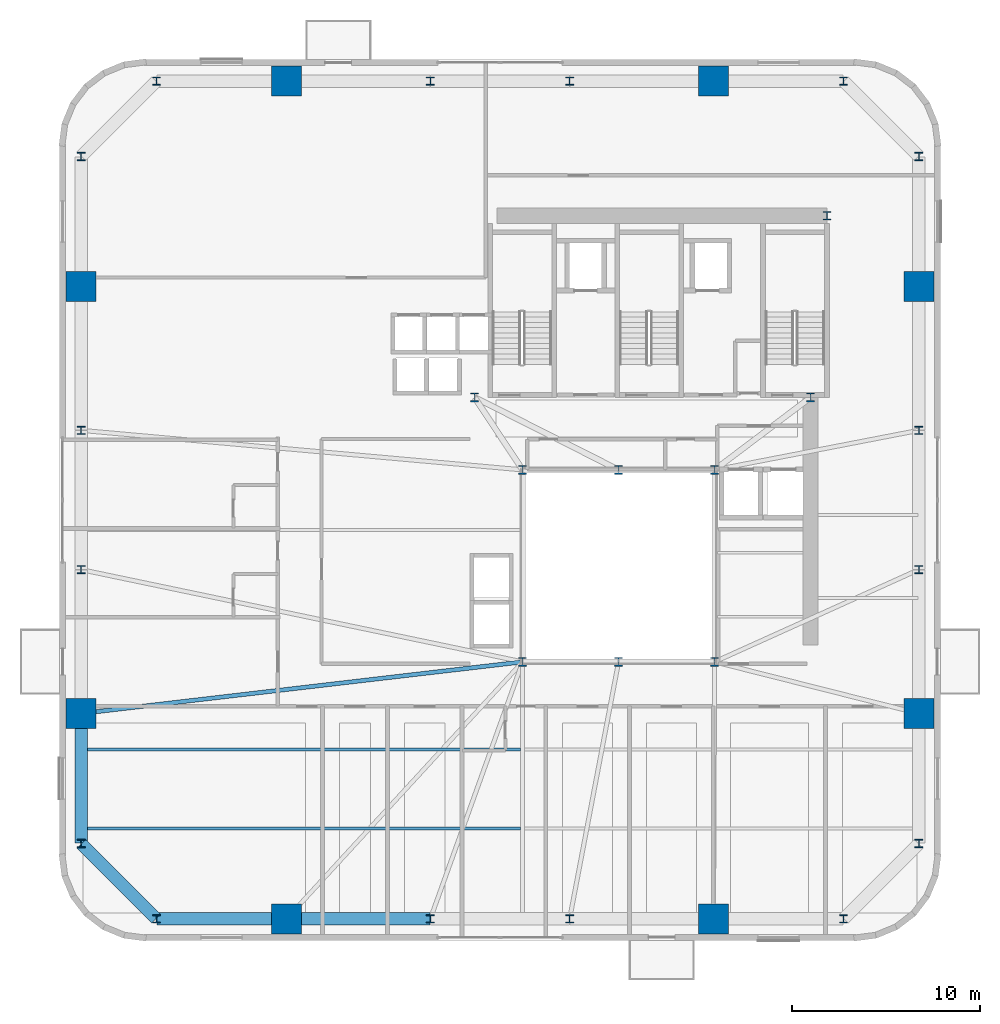
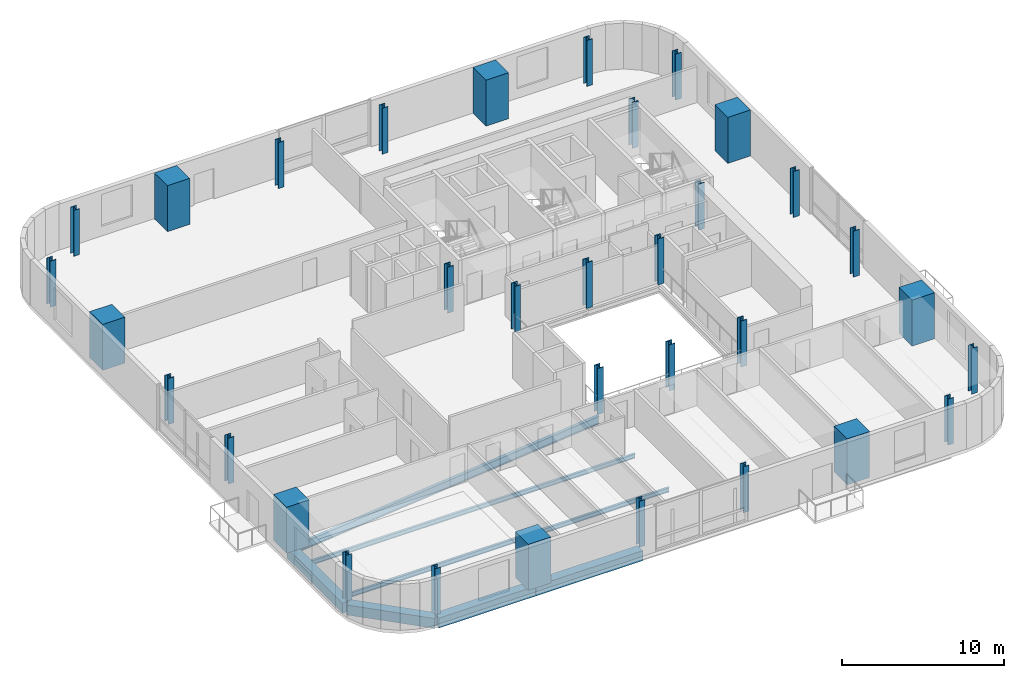
# One storey, part 1 of 14: 33 columns, 7 beams.
"""IFC4 building model written with IfcOpenShell, lengths in metres."""

from ifc_helpers import new_model, si_unit, direction, frame, origin, origin_2d, place, context, subcontext, project, spatial, rectangle, i_section, extrude, source, transform, mapped, material, material_profile, profile_set, type_object, element, save


model = new_model("IFC4")

# Units and contexts
model_context = context("Model", 3, precision=1e-05, world=origin(), true_north=direction((0.0, 1.0)))
body_context = subcontext(model_context, "Body", "Model", "MODEL_VIEW")
ifc_project = project(units=[si_unit("LENGTHUNIT", "METRE"), si_unit("AREAUNIT", "SQUARE_METRE"), si_unit("VOLUMEUNIT", "CUBIC_METRE"), si_unit("PLANEANGLEUNIT", "RADIAN"), si_unit("MASSUNIT", "GRAM", prefix="KILO")], contexts=[model_context])

# Site, building, storey
site_placement = place(None, origin())
site = spatial("IfcSite", under=ifc_project, at=site_placement, CompositionType="ELEMENT")
building_placement = place(site_placement, origin())
building = spatial("IfcBuilding", under=site, at=building_placement, Name="Vardaveli Station Tower", CompositionType="ELEMENT")
storey_placement = place(building_placement, frame((0.0, 0.0, 129.800048828125)))
storey = spatial("IfcBuildingStorey", under=building, at=storey_placement, Name="L33", CompositionType="ELEMENT", Elevation=129.800048828125)

# Columns
ifc_material_1 = material(Name="Structural steel S460M", Category="steel")
ifc_material_profile_1 = material_profile(ifc_material_1, i_section(OverallWidth=0.424072265625, OverallDepth=0.465087890625, WebThickness=0.034912109375, FlangeThickness=0.055908203125, FilletRadius=0.014892578125, at=origin_2d()), Name="HD 400x592")
ifc_profile_set_1 = profile_set([ifc_material_profile_1], Name="Structural steel S460M")
column_type_1 = type_object("IfcColumnType", Name="COL-HD592", PredefinedType="COLUMN", material=ifc_profile_set_1)
shared_shape_1 = source(origin(), body_context, "Body", "SweptSolid", [
    extrude(i_section(OverallWidth=0.424072265625, OverallDepth=0.465087890625, WebThickness=0.034912109375, FlangeThickness=0.055908203125, FilletRadius=0.014892578125, at=origin_2d()), origin(), (0.0, 0.0, 1.0), 3.4599609375),
])
for number, where, z_axis, x_axis, name in (
    (1, (31.199951171875, 16.60009765625, 0.0), (0.0, 0.0, 1.0), (1.0, 0.0, 0.0), "COL-L33-AC1"),
    (2, (36.300048828125, 16.60009765625, 0.0), (0.0, 0.0, 1.0), (1.0, 0.0, 0.0), "COL-L33-AC2"),
    (3, (41.39990234375, 16.60009765625, 0.0), (0.0, 0.0, 1.0), (1.0, 0.0, 0.0), "COL-L33-AC3"),
    (4, (41.39990234375, 26.800048828125, 0.0), (0.0, 0.0, 1.0), (1.0, 0.0, 0.0), "COL-L33-AC4"),
    (5, (36.300048828125, 26.800048828125, 0.0), (0.0, 0.0, 1.0), (1.0, 0.0, 0.0), "COL-L33-AC5"),
    (6, (31.199951171875, 26.800048828125, 0.0), (0.0, 0.0, 1.0), (1.0, 0.0, 0.0), "COL-L33-AC6"),
    (7, (28.64990234375, 30.64990234375, 0.0), (0.0, 0.0, 1.0), (1.0, 0.0, 0.0), "COL-L33-CC1"),
    (8, (46.5, 30.64990234375, 0.0), (0.0, 0.0, 1.0), (1.0, 0.0, 0.0), "COL-L33-CC2"),
    (9, (47.3701171875, 40.300048828125, 0.0), (0.0, 0.0, 1.0), (1.0, 0.0, 0.0), "COL-L33-CC3"),
):
    element("IfcColumn", number, at=place(storey_placement, frame(where, z_axis=z_axis, x_axis=x_axis)), inside=storey, type_object=column_type_1, Name=name, PredefinedType="COLUMN", context=body_context, shape_type="MappedRepresentation", body=[
        mapped(shared_shape_1, transform((0.0, 0.0, 0.0), scale=1.0)),
    ])
ifc_material_2 = material(Name="Concrete C60/75", Category="concrete")
ifc_material_profile_2 = material_profile(ifc_material_2, rectangle(XDim=1.60009765625, YDim=1.60009765625, at=origin_2d()), Name="MC 1600x1600")
ifc_profile_set_2 = profile_set([ifc_material_profile_2], Name="Concrete C60/75")
column_type_2 = type_object("IfcColumnType", Name="COL-MC-1600", PredefinedType="COLUMN", material=ifc_profile_set_2)
shared_shape_2 = source(origin(), body_context, "Body", "SweptSolid", [
    extrude(rectangle(XDim=1.60009765625, YDim=1.60009765625, at=origin_2d()), origin(), (0.0, 0.0, 1.0), 3.4599609375),
])
for number, where, z_axis, x_axis, name in (
    (10, (18.659912109375, 2.949951171875, 0.0), (0.0, 0.0, 1.0), (1.0, 0.0, 0.0), "COL-L33-MC1"),
    (11, (41.340087890625, 2.949951171875, 0.0), (0.0, 0.0, 1.0), (1.0, 0.0, 0.0), "COL-L33-MC2"),
    (12, (52.25, 13.860107421875, 0.0), (0.0, 0.0, 1.0), (1.0, 0.0, 0.0), "COL-L33-MC3"),
    (13, (52.25, 36.5400390625, 0.0), (0.0, 0.0, 1.0), (1.0, 0.0, 0.0), "COL-L33-MC4"),
    (14, (41.340087890625, 47.449951171875, 0.0), (0.0, 0.0, 1.0), (1.0, 0.0, 0.0), "COL-L33-MC5"),
    (15, (18.659912109375, 47.449951171875, 0.0), (0.0, 0.0, 1.0), (1.0, 0.0, 0.0), "COL-L33-MC6"),
    (16, (7.75, 36.5400390625, 0.0), (0.0, 0.0, 1.0), (1.0, 0.0, 0.0), "COL-L33-MC7"),
    (17, (7.75, 13.860107421875, 0.0), (0.0, 0.0, 1.0), (1.0, 0.0, 0.0), "COL-L33-MC8"),
):
    element("IfcColumn", number, at=place(storey_placement, frame(where, z_axis=z_axis, x_axis=x_axis)), inside=storey, type_object=column_type_2, Name=name, PredefinedType="COLUMN", context=body_context, shape_type="MappedRepresentation", body=[
        mapped(shared_shape_2, transform((0.0, 0.0, 0.0), scale=1.0)),
    ])
ifc_material_profile_3 = material_profile(ifc_material_1, i_section(OverallWidth=0.4140625, OverallDepth=0.431884765625, WebThickness=0.025634765625, FlangeThickness=0.0400390625, FilletRadius=0.014892578125, at=origin_2d()), Name="HD 400x421")
ifc_profile_set_3 = profile_set([ifc_material_profile_3], Name="Structural steel S460M")
column_type_3 = type_object("IfcColumnType", Name="COL-HD421", PredefinedType="COLUMN", material=ifc_profile_set_3)
shared_shape_3 = source(origin(), body_context, "Body", "SweptSolid", [
    extrude(i_section(OverallWidth=0.4140625, OverallDepth=0.431884765625, WebThickness=0.025634765625, FlangeThickness=0.0400390625, FilletRadius=0.014892578125, at=origin_2d()), origin(), (0.0, 0.0, 1.0), 3.4599609375),
])
for number, where, z_axis, x_axis, name in (
    (18, (11.75, 2.949951171875, 0.0), (0.0, 0.0, 1.0), (1.0, 0.0, 0.0), "COL-L33-PC01"),
    (19, (26.300048828125, 2.949951171875, 0.0), (0.0, 0.0, 1.0), (1.0, 0.0, 0.0), "COL-L33-PC02"),
    (20, (33.699951171875, 2.949951171875, 0.0), (0.0, 0.0, 1.0), (1.0, 0.0, 0.0), "COL-L33-PC03"),
    (21, (48.25, 2.949951171875, 0.0), (0.0, 0.0, 1.0), (1.0, 0.0, 0.0), "COL-L33-PC04"),
    (22, (52.25, 6.949951171875, 0.0), (0.0, 0.0, 1.0), (1.0, 0.0, 0.0), "COL-L33-PC05"),
    (23, (52.25, 21.5, 0.0), (0.0, 0.0, 1.0), (1.0, 0.0, 0.0), "COL-L33-PC06"),
    (24, (52.25, 28.89990234375, 0.0), (0.0, 0.0, 1.0), (1.0, 0.0, 0.0), "COL-L33-PC07"),
    (25, (52.25, 43.449951171875, 0.0), (0.0, 0.0, 1.0), (1.0, 0.0, 0.0), "COL-L33-PC08"),
    (26, (48.25, 47.449951171875, 0.0), (0.0, 0.0, 1.0), (1.0, 0.0, 0.0), "COL-L33-PC09"),
    (27, (33.699951171875, 47.449951171875, 0.0), (0.0, 0.0, 1.0), (1.0, 0.0, 0.0), "COL-L33-PC10"),
    (28, (26.300048828125, 47.449951171875, 0.0), (0.0, 0.0, 1.0), (1.0, 0.0, 0.0), "COL-L33-PC11"),
    (29, (11.75, 47.449951171875, 0.0), (0.0, 0.0, 1.0), (1.0, 0.0, 0.0), "COL-L33-PC12"),
    (30, (7.75, 43.449951171875, 0.0), (0.0, 0.0, 1.0), (1.0, 0.0, 0.0), "COL-L33-PC13"),
    (31, (7.75, 28.89990234375, 0.0), (0.0, 0.0, 1.0), (1.0, 0.0, 0.0), "COL-L33-PC14"),
    (32, (7.75, 21.5, 0.0), (0.0, 0.0, 1.0), (1.0, 0.0, 0.0), "COL-L33-PC15"),
    (33, (7.75, 6.949951171875, 0.0), (0.0, 0.0, 1.0), (1.0, 0.0, 0.0), "COL-L33-PC16"),
):
    element("IfcColumn", number, at=place(storey_placement, frame(where, z_axis=z_axis, x_axis=x_axis)), inside=storey, type_object=column_type_3, Name=name, PredefinedType="COLUMN", context=body_context, shape_type="MappedRepresentation", body=[
        mapped(shared_shape_3, transform((0.0, 0.0, 0.0), scale=1.0)),
    ])

# Beams
ifc_material_3 = material(Name="Precast concrete C45/55", Category="concrete")
ifc_material_profile_4 = material_profile(ifc_material_3, rectangle(XDim=0.64990234375, YDim=0.75, at=origin_2d()), Name="LPB 650x750")
ifc_profile_set_4 = profile_set([ifc_material_profile_4], Name="Precast concrete C45/55")
beam_type_1 = type_object("IfcBeamType", Name="BM-LPB-750", PredefinedType="BEAM", material=ifc_profile_set_4)
shared_shape_4 = source(origin(), body_context, "Body", "SweptSolid", [
    extrude(rectangle(XDim=0.64990234375, YDim=0.75, at=origin_2d()), origin(), (0.0, 0.0, 1.0), 7.60009765625),
])
beam_1_placement = place(storey_placement, frame((18.679931640625, 2.949951171875, -0.614990234375), z_axis=(1.0, 0.0, 0.0), x_axis=(0.0, 1.0, 0.0)))
element("IfcBeam", 34, at=beam_1_placement, inside=storey, type_object=beam_type_1, Name="RBM-L33-01", PredefinedType="BEAM", context=body_context, shape_type="MappedRepresentation", body=[
    mapped(shared_shape_4, transform((0.0, 0.0, 0.0), scale=1.0)),
])
shared_shape_5 = source(origin(), body_context, "Body", "SweptSolid", [
    extrude(rectangle(XDim=0.64990234375, YDim=0.75, at=origin_2d()), origin(), (0.0, 0.0, 1.0), 6.869873046875),
])
beam_2_placement = place(storey_placement, frame((11.77001953125, 2.949951171875, -0.614990234375), z_axis=(1.0, 0.0, 0.0), x_axis=(0.0, 1.0, 0.0)))
element("IfcBeam", 35, at=beam_2_placement, inside=storey, type_object=beam_type_1, Name="RBM-L33-24", PredefinedType="BEAM", context=body_context, shape_type="MappedRepresentation", body=[
    mapped(shared_shape_5, transform((0.0, 0.0, 0.0), scale=1.0)),
])
shared_shape_6 = source(origin(), body_context, "Body", "SweptSolid", [
    extrude(rectangle(XDim=0.64990234375, YDim=0.75, at=origin_2d()), origin(), (0.0, 0.0, 1.0), 5.61669921875),
])
beam_3_placement = place(storey_placement, frame((7.76416015625, 6.935791015625, -0.614990234375), z_axis=(0.707106781187, -0.707106781187, 0.0), x_axis=(0.707106781187, 0.707106781187, 0.0)))
element("IfcBeam", 36, at=beam_3_placement, inside=storey, type_object=beam_type_1, Name="RBM-L33-23", PredefinedType="BEAM", context=body_context, shape_type="MappedRepresentation", body=[
    mapped(shared_shape_6, transform((0.0, 0.0, 0.0), scale=1.0)),
])
shared_shape_7 = source(origin(), body_context, "Body", "SweptSolid", [
    extrude(rectangle(XDim=0.64990234375, YDim=0.75, at=origin_2d()), origin(), (0.0, 0.0, 1.0), 6.8701171875),
])
beam_4_placement = place(storey_placement, frame((7.75, 13.840087890625, -0.614990234375), z_axis=(0.0, -1.0, 0.0), x_axis=(1.0, 0.0, 0.0)))
element("IfcBeam", 37, at=beam_4_placement, inside=storey, type_object=beam_type_1, Name="RBM-L33-22", PredefinedType="BEAM", context=body_context, shape_type="MappedRepresentation", body=[
    mapped(shared_shape_7, transform((0.0, 0.0, 0.0), scale=1.0)),
])
ifc_material_4 = material(Name="Structural steel S355J2", Category="steel")
ifc_material_profile_5 = material_profile(ifc_material_4, i_section(OverallWidth=0.159912109375, OverallDepth=0.330078125, WebThickness=0.007568359375, FlangeThickness=0.011474609375, FilletRadius=0.01806640625, at=origin_2d()), Name="IPE 330")
ifc_profile_set_5 = profile_set([ifc_material_profile_5], Name="Structural steel S355J2")
beam_type_2 = type_object("IfcBeamType", Name="BM-IPE330", PredefinedType="JOIST", material=ifc_profile_set_5)
shared_shape_8 = source(origin(), body_context, "Body", "SweptSolid", [
    extrude(i_section(OverallWidth=0.159912109375, OverallDepth=0.330078125, WebThickness=0.007568359375, FlangeThickness=0.011474609375, FilletRadius=0.01806640625, at=origin_2d()), origin(), (0.0, 0.0, 1.0), 23.2978515625),
])
for number, where, z_axis, x_axis, name in (
    (38, (7.7900390625, 7.75, -0.405029296875), (1.0, 0.0, 0.0), (0.0, 1.0, 0.0), "SJ-L33-S01"),
    (39, (7.7900390625, 11.949951171875, -0.405029296875), (1.0, 0.0, 0.0), (0.0, 1.0, 0.0), "SJ-L33-S03"),
):
    element("IfcBeam", number, at=place(storey_placement, frame(where, z_axis=z_axis, x_axis=x_axis)), inside=storey, type_object=beam_type_2, Name=name, PredefinedType="JOIST", context=body_context, shape_type="MappedRepresentation", body=[
        mapped(shared_shape_8, transform((0.0, 0.0, 0.0), scale=1.0)),
    ])
ifc_material_profile_6 = material_profile(ifc_material_4, i_section(OverallWidth=0.219970703125, OverallDepth=0.60009765625, WebThickness=0.011962890625, FlangeThickness=0.01904296875, FilletRadius=0.02392578125, at=origin_2d()), Name="IPE 600")
ifc_profile_set_6 = profile_set([ifc_material_profile_6], Name="Structural steel S355J2")
beam_type_3 = type_object("IfcBeamType", Name="BM-IPE600", PredefinedType="BEAM", material=ifc_profile_set_6)
shared_shape_9 = source(origin(), body_context, "Body", "SweptSolid", [
    extrude(i_section(OverallWidth=0.219970703125, OverallDepth=0.60009765625, WebThickness=0.011962890625, FlangeThickness=0.01904296875, FilletRadius=0.02392578125, at=origin_2d()), origin(), (0.0, 0.0, 1.0), 23.569580078125),
])
beam_5_placement = place(storey_placement, frame((7.769775390625, 13.8623046875, -0.5400390625), z_axis=(0.993242915589, 0.11605391261, 0.0), x_axis=(-0.11605391261, 0.993242915589, 0.0)))
element("IfcBeam", 40, at=beam_5_placement, inside=storey, type_object=beam_type_3, Name="GBM-L33-10", PredefinedType="BEAM", context=body_context, shape_type="MappedRepresentation", body=[
    mapped(shared_shape_9, transform((0.0, 0.0, 0.0), scale=1.0)),
])

save(model, "model.ifc")
